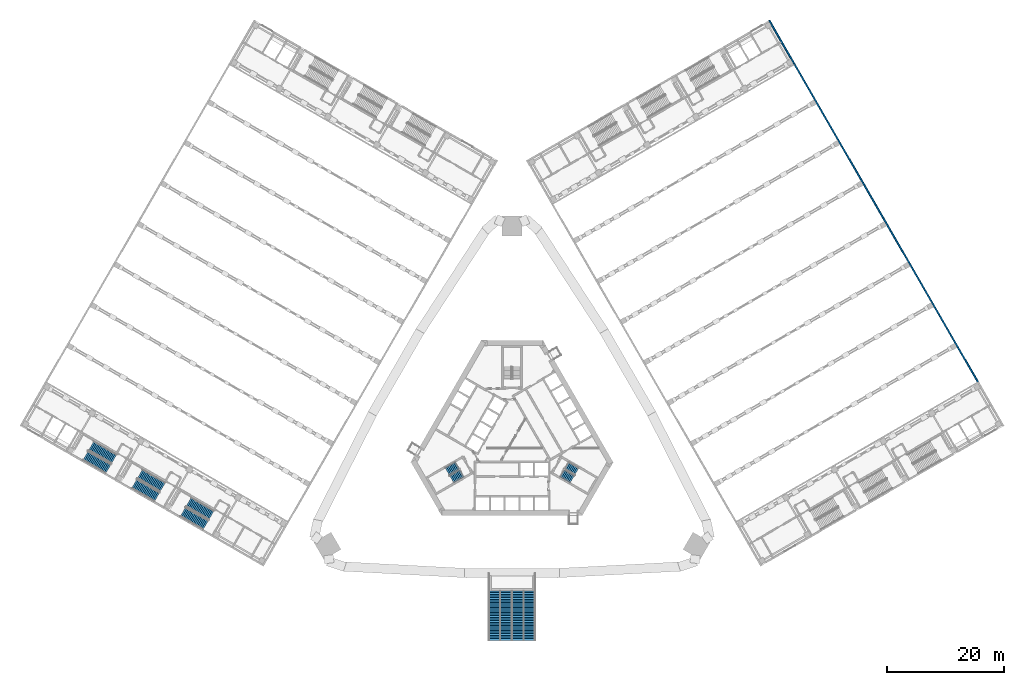
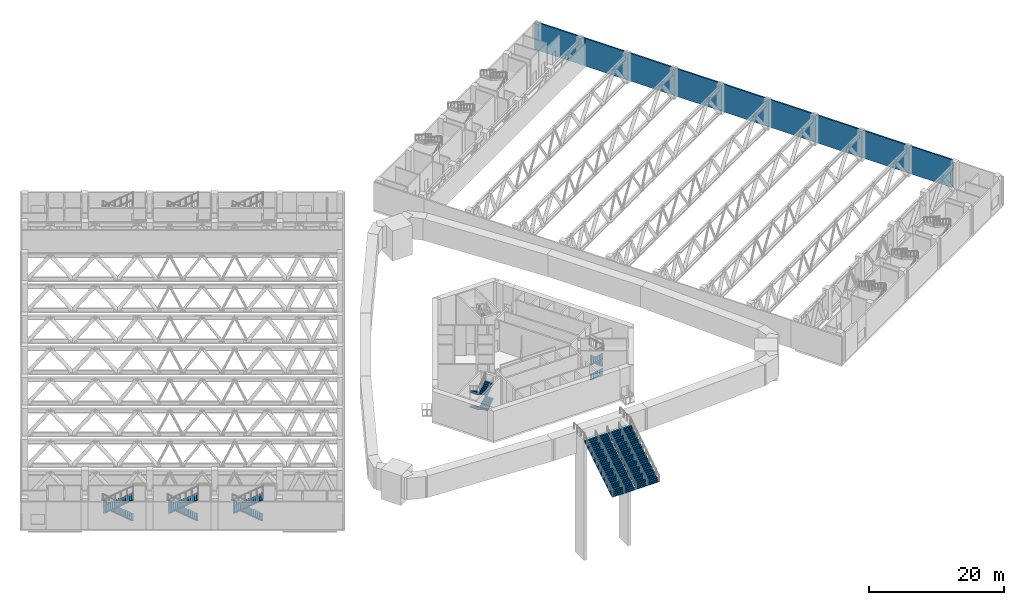
# One storey, part 24 of 37: 15 stair flights, 2 walls, 6 elements without a shape of their own.
"""IFC4 building model written with IfcOpenShell, lengths in metres."""

from ifc_helpers import new_model, si_unit, direction, frame, frame_2d, origin, place, context, subcontext, project, spatial, polyline, rectangle, outline, extrude, material, layer, layer_set, type_object, element, aggregate, save


model = new_model("IFC4")

# Units and contexts
model_context = context("Model", 3, precision=1e-05, world=origin(), true_north=direction((0.0, 1.0)))
body_context = subcontext(model_context, "Body", "Model", "MODEL_VIEW")
ifc_project = project(units=[si_unit("LENGTHUNIT", "METRE"), si_unit("AREAUNIT", "SQUARE_METRE"), si_unit("VOLUMEUNIT", "CUBIC_METRE"), si_unit("PLANEANGLEUNIT", "RADIAN"), si_unit("MASSUNIT", "GRAM", prefix="KILO")], contexts=[model_context])

# Site, building, storey
site_placement = place(None, origin())
site = spatial("IfcSite", under=ifc_project, at=site_placement, CompositionType="ELEMENT")
building_placement = place(site_placement, origin())
building = spatial("IfcBuilding", under=site, at=building_placement, Name="Mestral Congress Tower", CompositionType="ELEMENT")
storey_placement = place(building_placement, frame((0.0, 0.0, 16.199951171875)))
storey = spatial("IfcBuildingStorey", under=building, at=storey_placement, Name="L03", CompositionType="ELEMENT", Elevation=16.199951171875)

# Walls
ifc_material_1 = material(Name="Precast concrete C40/50 with limestone facing", Category="masonry")
ifc_layer = layer(ifc_material_1, 0.25)
ifc_layer_set = layer_set([ifc_layer], Name="Precast concrete C40/50 with limestone facing")
wall_type = type_object("IfcWallType", Name="Podium external wall 250", PredefinedType="SOLIDWALL", material=ifc_layer_set)
wall_1_placement = place(storey_placement, frame((43.915283203125, 71.54248046875, 0.0), z_axis=(0.0, 0.0, 1.0), x_axis=(0.499999331568, -0.866025789703, 0.0)))
element("IfcWall", 1, at=wall_1_placement, inside=storey, type_object=wall_type, Name="L03 external wall", PredefinedType="SOLIDWALL", context=body_context, shape_type="SweptSolid", body=[
    extrude(rectangle(XDim=8.625, YDim=0.25, at=frame_2d((4.3125, 0.0))), origin(), (0.0, 0.0, 1.0), 5.0),
])
wall_2_placement = place(storey_placement, frame((48.227783203125, 64.072998046875, 0.0), z_axis=(0.0, 0.0, 1.0), x_axis=(0.500000527961, -0.866025098966, 0.0)))
element("IfcWall", 2, at=wall_2_placement, inside=storey, type_object=wall_type, Name="L03 external wall", PredefinedType="SOLIDWALL", context=body_context, shape_type="SweptSolid", body=[
    extrude(rectangle(XDim=62.75, YDim=0.25, at=frame_2d((31.375, 0.0))), origin(), (0.0, 0.0, 1.0), 5.0),
])

# Stair, stair flights
ifc_material_2 = material(Name="Concrete C60/75", Category="concrete")
stair_type_1 = type_object("IfcStairType", Name="Exit stair 1400", PredefinedType="HALF_TURN_STAIR", material=ifc_material_2)
placement = place(storey_placement, origin())
stair_1 = element("IfcStair", 3, at=placement, inside=storey, type_object=stair_type_1, Name="L03 ST1", PredefinedType="HALF_TURN_STAIR")
stair_flight_type_1 = type_object("IfcStairFlightType", Name="Exit stair flight 1400", PredefinedType="STRAIGHT", material=ifc_material_2)
stair_flight_1_placement = place(storey_placement, frame((8.575927734375, -5.84619140625, 0.0), z_axis=(0.0, 0.0, 1.0), x_axis=(0.866025403784, -0.5, 0.0)))
stair_flight_1 = element("IfcStairFlight", 4, at=stair_flight_1_placement, type_object=stair_flight_type_1, Name="ST1 flight 1", NumberOfRisers=8, NumberOfTreads=7, PredefinedType="STRAIGHT", RiserHeight=0.16875, TreadLength=0.28, context=body_context, shape_type="SweptSolid", body=[
    extrude(outline(polyline([(0.0, 0.0), (0.0, 0.168701171875), (0.280029296875, 0.168701171875), (0.280029296875, 0.33740234375), (0.56005859375, 0.33740234375), (0.56005859375, 0.50634765625), (0.840087890625, 0.50634765625), (0.840087890625, 0.675048828125), (1.1201171875, 0.675048828125), (1.1201171875, 0.84375), (1.39990234375, 0.84375), (1.39990234375, 1.012451171875), (1.679931640625, 1.012451171875), (1.679931640625, 1.18115234375), (1.9599609375, 1.18115234375), (1.9599609375, 1.35009765625), (1.9599609375, 1.00634765625), (0.29052734375, 0.0), (0.0, 0.0)])), frame((0.0, 0.699951171875, 0.0), z_axis=(0.0, -1.0, 0.0), x_axis=(1.0, 0.0, 0.0)), (0.0, 0.0, 1.0), 0.700927734375),
    extrude(outline(polyline([(0.0, 0.0), (0.0, 0.168701171875), (0.280029296875, 0.168701171875), (0.280029296875, 0.33740234375), (0.56005859375, 0.33740234375), (0.56005859375, 0.50634765625), (0.840087890625, 0.50634765625), (0.840087890625, 0.675048828125), (1.1201171875, 0.675048828125), (1.1201171875, 0.84375), (1.39990234375, 0.84375), (1.39990234375, 1.012451171875), (1.679931640625, 1.012451171875), (1.679931640625, 1.18115234375), (1.9599609375, 1.18115234375), (1.9599609375, 1.35009765625), (1.9599609375, 1.00634765625), (0.29052734375, 0.0), (0.0, 0.0)])), frame((0.0, 0.0009765625, 0.0), z_axis=(0.0, -1.0, 0.0), x_axis=(1.0, 0.0, 0.0)), (0.0, 0.0, 1.0), 0.700927734375),
])
stair_flight_2_placement = place(storey_placement, frame((11.04833984375, -5.48388671875, 1.35009765625), z_axis=(0.0, 0.0, 1.0), x_axis=(-0.866025403784, 0.5, 0.0)))
stair_flight_2 = element("IfcStairFlight", 5, at=stair_flight_2_placement, type_object=stair_flight_type_1, Name="ST1 flight 2", NumberOfRisers=8, NumberOfTreads=7, PredefinedType="STRAIGHT", RiserHeight=0.16875, TreadLength=0.28, context=body_context, shape_type="SweptSolid", body=[
    extrude(outline(polyline([(0.0, 0.0), (0.0, 0.168701171875), (0.280029296875, 0.168701171875), (0.280029296875, 0.33740234375), (0.56005859375, 0.33740234375), (0.56005859375, 0.50634765625), (0.840087890625, 0.50634765625), (0.840087890625, 0.675048828125), (1.1201171875, 0.675048828125), (1.1201171875, 0.84375), (1.39990234375, 0.84375), (1.39990234375, 1.012451171875), (1.679931640625, 1.012451171875), (1.679931640625, 1.18115234375), (1.9599609375, 1.18115234375), (1.9599609375, 1.35009765625), (1.9599609375, 1.00634765625), (0.29052734375, 0.0), (0.0, 0.0)])), frame((0.0, 0.699951171875, 0.0), z_axis=(0.0, -1.0, 0.0), x_axis=(1.0, 0.0, 0.0)), (0.0, 0.0, 1.0), 0.700927734375),
    extrude(outline(polyline([(0.0, 0.0), (0.0, 0.168701171875), (0.280029296875, 0.168701171875), (0.280029296875, 0.33740234375), (0.56005859375, 0.33740234375), (0.56005859375, 0.50634765625), (0.840087890625, 0.50634765625), (0.840087890625, 0.675048828125), (1.1201171875, 0.675048828125), (1.1201171875, 0.84375), (1.39990234375, 0.84375), (1.39990234375, 1.012451171875), (1.679931640625, 1.012451171875), (1.679931640625, 1.18115234375), (1.9599609375, 1.18115234375), (1.9599609375, 1.35009765625), (1.9599609375, 1.00634765625), (0.29052734375, 0.0), (0.0, 0.0)])), frame((0.0, 0.0009765625, 0.0), z_axis=(0.0, -1.0, 0.0), x_axis=(1.0, 0.0, 0.0)), (0.0, 0.0, 1.0), 0.700927734375),
])
stair_flight_3_placement = place(storey_placement, frame((8.575927734375, -5.84619140625, 2.699951171875), z_axis=(0.0, 0.0, 1.0), x_axis=(0.866025403784, -0.5, 0.0)))
stair_flight_3 = element("IfcStairFlight", 6, at=stair_flight_3_placement, type_object=stair_flight_type_1, Name="ST1 flight 3", NumberOfRisers=8, NumberOfTreads=7, PredefinedType="STRAIGHT", RiserHeight=0.16875, TreadLength=0.28, context=body_context, shape_type="SweptSolid", body=[
    extrude(outline(polyline([(0.0, 0.0), (0.0, 0.168701171875), (0.280029296875, 0.168701171875), (0.280029296875, 0.33740234375), (0.56005859375, 0.33740234375), (0.56005859375, 0.50634765625), (0.840087890625, 0.50634765625), (0.840087890625, 0.675048828125), (1.1201171875, 0.675048828125), (1.1201171875, 0.84375), (1.39990234375, 0.84375), (1.39990234375, 1.012451171875), (1.679931640625, 1.012451171875), (1.679931640625, 1.18115234375), (1.9599609375, 1.18115234375), (1.9599609375, 1.35009765625), (1.9599609375, 1.00634765625), (0.29052734375, 0.0), (0.0, 0.0)])), frame((0.0, 0.699951171875, 0.0), z_axis=(0.0, -1.0, 0.0), x_axis=(1.0, 0.0, 0.0)), (0.0, 0.0, 1.0), 0.700927734375),
    extrude(outline(polyline([(0.0, 0.0), (0.0, 0.168701171875), (0.280029296875, 0.168701171875), (0.280029296875, 0.33740234375), (0.56005859375, 0.33740234375), (0.56005859375, 0.50634765625), (0.840087890625, 0.50634765625), (0.840087890625, 0.675048828125), (1.1201171875, 0.675048828125), (1.1201171875, 0.84375), (1.39990234375, 0.84375), (1.39990234375, 1.012451171875), (1.679931640625, 1.012451171875), (1.679931640625, 1.18115234375), (1.9599609375, 1.18115234375), (1.9599609375, 1.35009765625), (1.9599609375, 1.00634765625), (0.29052734375, 0.0), (0.0, 0.0)])), frame((0.0, 0.0009765625, 0.0), z_axis=(0.0, -1.0, 0.0), x_axis=(1.0, 0.0, 0.0)), (0.0, 0.0, 1.0), 0.700927734375),
])
aggregate(stair_1, [stair_flight_1, stair_flight_2, stair_flight_3])

stair_2 = element("IfcStair", 7, at=placement, inside=storey, type_object=stair_type_1, Name="L03 ST3", PredefinedType="HALF_TURN_STAIR")
stair_flight_4_placement = place(storey_placement, frame((-9.350830078125, -4.50390625, 0.0), z_axis=(0.0, 0.0, 1.0), x_axis=(-0.866025403784, -0.5, 0.0)))
stair_flight_4 = element("IfcStairFlight", 8, at=stair_flight_4_placement, type_object=stair_flight_type_1, Name="ST3 flight 1", NumberOfRisers=8, NumberOfTreads=7, PredefinedType="STRAIGHT", RiserHeight=0.16875, TreadLength=0.28, context=body_context, shape_type="SweptSolid", body=[
    extrude(outline(polyline([(0.0, 0.0), (0.0, 0.168701171875), (0.280029296875, 0.168701171875), (0.280029296875, 0.33740234375), (0.56005859375, 0.33740234375), (0.56005859375, 0.50634765625), (0.840087890625, 0.50634765625), (0.840087890625, 0.675048828125), (1.1201171875, 0.675048828125), (1.1201171875, 0.84375), (1.39990234375, 0.84375), (1.39990234375, 1.012451171875), (1.679931640625, 1.012451171875), (1.679931640625, 1.18115234375), (1.9599609375, 1.18115234375), (1.9599609375, 1.35009765625), (1.9599609375, 1.00634765625), (0.29052734375, 0.0), (0.0, 0.0)])), frame((0.0, 0.699951171875, 0.0), z_axis=(0.0, -1.0, 0.0), x_axis=(1.0, 0.0, 0.0)), (0.0, 0.0, 1.0), 0.700927734375),
    extrude(outline(polyline([(0.0, 0.0), (0.0, 0.168701171875), (0.280029296875, 0.168701171875), (0.280029296875, 0.33740234375), (0.56005859375, 0.33740234375), (0.56005859375, 0.50634765625), (0.840087890625, 0.50634765625), (0.840087890625, 0.675048828125), (1.1201171875, 0.675048828125), (1.1201171875, 0.84375), (1.39990234375, 0.84375), (1.39990234375, 1.012451171875), (1.679931640625, 1.012451171875), (1.679931640625, 1.18115234375), (1.9599609375, 1.18115234375), (1.9599609375, 1.35009765625), (1.9599609375, 1.00634765625), (0.29052734375, 0.0), (0.0, 0.0)])), frame((0.0, 0.0009765625, 0.0), z_axis=(0.0, -1.0, 0.0), x_axis=(1.0, 0.0, 0.0)), (0.0, 0.0, 1.0), 0.700927734375),
])
stair_flight_5_placement = place(storey_placement, frame((-10.273193359375, -6.826171875, 1.35009765625), z_axis=(0.0, 0.0, 1.0), x_axis=(0.866025403784, 0.5, 0.0)))
stair_flight_5 = element("IfcStairFlight", 9, at=stair_flight_5_placement, type_object=stair_flight_type_1, Name="ST3 flight 2", NumberOfRisers=8, NumberOfTreads=7, PredefinedType="STRAIGHT", RiserHeight=0.16875, TreadLength=0.28, context=body_context, shape_type="SweptSolid", body=[
    extrude(outline(polyline([(0.0, 0.0), (0.0, 0.168701171875), (0.280029296875, 0.168701171875), (0.280029296875, 0.33740234375), (0.56005859375, 0.33740234375), (0.56005859375, 0.50634765625), (0.840087890625, 0.50634765625), (0.840087890625, 0.675048828125), (1.1201171875, 0.675048828125), (1.1201171875, 0.84375), (1.39990234375, 0.84375), (1.39990234375, 1.012451171875), (1.679931640625, 1.012451171875), (1.679931640625, 1.18115234375), (1.9599609375, 1.18115234375), (1.9599609375, 1.35009765625), (1.9599609375, 1.00634765625), (0.29052734375, 0.0), (0.0, 0.0)])), frame((0.0, 0.699951171875, 0.0), z_axis=(0.0, -1.0, 0.0), x_axis=(1.0, 0.0, 0.0)), (0.0, 0.0, 1.0), 0.700927734375),
    extrude(outline(polyline([(0.0, 0.0), (0.0, 0.168701171875), (0.280029296875, 0.168701171875), (0.280029296875, 0.33740234375), (0.56005859375, 0.33740234375), (0.56005859375, 0.50634765625), (0.840087890625, 0.50634765625), (0.840087890625, 0.675048828125), (1.1201171875, 0.675048828125), (1.1201171875, 0.84375), (1.39990234375, 0.84375), (1.39990234375, 1.012451171875), (1.679931640625, 1.012451171875), (1.679931640625, 1.18115234375), (1.9599609375, 1.18115234375), (1.9599609375, 1.35009765625), (1.9599609375, 1.00634765625), (0.29052734375, 0.0), (0.0, 0.0)])), frame((0.0, 0.0009765625, 0.0), z_axis=(0.0, -1.0, 0.0), x_axis=(1.0, 0.0, 0.0)), (0.0, 0.0, 1.0), 0.700927734375),
])
stair_flight_6_placement = place(storey_placement, frame((-9.350830078125, -4.50390625, 2.699951171875), z_axis=(0.0, 0.0, 1.0), x_axis=(-0.866025403784, -0.5, 0.0)))
stair_flight_6 = element("IfcStairFlight", 10, at=stair_flight_6_placement, type_object=stair_flight_type_1, Name="ST3 flight 3", NumberOfRisers=8, NumberOfTreads=7, PredefinedType="STRAIGHT", RiserHeight=0.16875, TreadLength=0.28, context=body_context, shape_type="SweptSolid", body=[
    extrude(outline(polyline([(0.0, 0.0), (0.0, 0.168701171875), (0.280029296875, 0.168701171875), (0.280029296875, 0.33740234375), (0.56005859375, 0.33740234375), (0.56005859375, 0.50634765625), (0.840087890625, 0.50634765625), (0.840087890625, 0.675048828125), (1.1201171875, 0.675048828125), (1.1201171875, 0.84375), (1.39990234375, 0.84375), (1.39990234375, 1.012451171875), (1.679931640625, 1.012451171875), (1.679931640625, 1.18115234375), (1.9599609375, 1.18115234375), (1.9599609375, 1.35009765625), (1.9599609375, 1.00634765625), (0.29052734375, 0.0), (0.0, 0.0)])), frame((0.0, 0.699951171875, 0.0), z_axis=(0.0, -1.0, 0.0), x_axis=(1.0, 0.0, 0.0)), (0.0, 0.0, 1.0), 0.700927734375),
    extrude(outline(polyline([(0.0, 0.0), (0.0, 0.168701171875), (0.280029296875, 0.168701171875), (0.280029296875, 0.33740234375), (0.56005859375, 0.33740234375), (0.56005859375, 0.50634765625), (0.840087890625, 0.50634765625), (0.840087890625, 0.675048828125), (1.1201171875, 0.675048828125), (1.1201171875, 0.84375), (1.39990234375, 0.84375), (1.39990234375, 1.012451171875), (1.679931640625, 1.012451171875), (1.679931640625, 1.18115234375), (1.9599609375, 1.18115234375), (1.9599609375, 1.35009765625), (1.9599609375, 1.00634765625), (0.29052734375, 0.0), (0.0, 0.0)])), frame((0.0, 0.0009765625, 0.0), z_axis=(0.0, -1.0, 0.0), x_axis=(1.0, 0.0, 0.0)), (0.0, 0.0, 1.0), 0.700927734375),
])
stair_flight_7_placement = place(storey_placement, frame((-10.273193359375, -6.826171875, 4.050048828125), z_axis=(0.0, 0.0, 1.0), x_axis=(0.866025403784, 0.5, 0.0)))
stair_flight_7 = element("IfcStairFlight", 11, at=stair_flight_7_placement, type_object=stair_flight_type_1, Name="ST3 flight 4", NumberOfRisers=8, NumberOfTreads=7, PredefinedType="STRAIGHT", RiserHeight=0.16875, TreadLength=0.28, context=body_context, shape_type="SweptSolid", body=[
    extrude(outline(polyline([(0.0, 0.0), (0.0, 0.168701171875), (0.280029296875, 0.168701171875), (0.280029296875, 0.33740234375), (0.56005859375, 0.33740234375), (0.56005859375, 0.50634765625), (0.840087890625, 0.50634765625), (0.840087890625, 0.675048828125), (1.1201171875, 0.675048828125), (1.1201171875, 0.84375), (1.39990234375, 0.84375), (1.39990234375, 1.012451171875), (1.679931640625, 1.012451171875), (1.679931640625, 1.18115234375), (1.9599609375, 1.18115234375), (1.9599609375, 1.35009765625), (1.9599609375, 1.00634765625), (0.29052734375, 0.0), (0.0, 0.0)])), frame((0.0, 0.699951171875, 0.0), z_axis=(0.0, -1.0, 0.0), x_axis=(1.0, 0.0, 0.0)), (0.0, 0.0, 1.0), 0.700927734375),
    extrude(outline(polyline([(0.0, 0.0), (0.0, 0.168701171875), (0.280029296875, 0.168701171875), (0.280029296875, 0.33740234375), (0.56005859375, 0.33740234375), (0.56005859375, 0.50634765625), (0.840087890625, 0.50634765625), (0.840087890625, 0.675048828125), (1.1201171875, 0.675048828125), (1.1201171875, 0.84375), (1.39990234375, 0.84375), (1.39990234375, 1.012451171875), (1.679931640625, 1.012451171875), (1.679931640625, 1.18115234375), (1.9599609375, 1.18115234375), (1.9599609375, 1.35009765625), (1.9599609375, 1.00634765625), (0.29052734375, 0.0), (0.0, 0.0)])), frame((0.0, 0.0009765625, 0.0), z_axis=(0.0, -1.0, 0.0), x_axis=(1.0, 0.0, 0.0)), (0.0, 0.0, 1.0), 0.700927734375),
])
aggregate(stair_2, [stair_flight_4, stair_flight_5, stair_flight_6, stair_flight_7])

ifc_material_3 = material(Name="Precast concrete C40/50", Category="concrete")
stair_type_2 = type_object("IfcStairType", Name="Podium broad stair 8000", PredefinedType="STRAIGHT_RUN_STAIR", material=ifc_material_3)
stair_3 = element("IfcStair", 12, at=placement, inside=storey, type_object=stair_type_2, Name="Broad stairs L03", PredefinedType="STRAIGHT_RUN_STAIR")
stair_flight_type_2 = type_object("IfcStairFlightType", Name="Podium broad stair flight 3900", PredefinedType="STRAIGHT", material=ifc_material_3)
stair_flight_8_placement = place(storey_placement, frame((-2.050048828125, -34.327880859375, 0.0), z_axis=(0.0, 0.0, 1.0), x_axis=(0.0, 1.0, 0.0)))
stair_flight_8 = element("IfcStairFlight", 13, at=stair_flight_8_placement, type_object=stair_flight_type_2, Name="BST-L03 flight 1", NumberOfRisers=31, NumberOfTreads=30, PredefinedType="STRAIGHT", RiserHeight=0.174194, TreadLength=0.28, context=body_context, shape_type="SweptSolid", body=[
    extrude(outline(polyline([(0.0, 0.0), (0.0, 0.174072265625), (0.280029296875, 0.174072265625), (0.280029296875, 0.348388671875), (0.56005859375, 0.348388671875), (0.56005859375, 0.5224609375), (0.840087890625, 0.5224609375), (0.840087890625, 0.69677734375), (1.1201171875, 0.69677734375), (1.1201171875, 0.870849609375), (1.39990234375, 0.870849609375), (1.39990234375, 1.045166015625), (1.679931640625, 1.045166015625), (1.679931640625, 1.21923828125), (1.9599609375, 1.21923828125), (1.9599609375, 1.3935546875), (2.239990234375, 1.3935546875), (2.239990234375, 1.567626953125), (2.52001953125, 1.567626953125), (2.52001953125, 1.741943359375), (2.800048828125, 1.741943359375), (2.800048828125, 1.916015625), (3.080078125, 1.916015625), (3.080078125, 2.09033203125), (3.360107421875, 2.09033203125), (3.360107421875, 2.264404296875), (3.639892578125, 2.264404296875), (3.639892578125, 2.438720703125), (3.919921875, 2.438720703125), (3.919921875, 2.61279296875), (4.199951171875, 2.61279296875), (4.199951171875, 2.787109375), (4.47998046875, 2.787109375), (4.47998046875, 2.961181640625), (4.760009765625, 2.961181640625), (4.760009765625, 3.135498046875), (5.0400390625, 3.135498046875), (5.0400390625, 3.3095703125), (5.320068359375, 3.3095703125), (5.320068359375, 3.48388671875), (5.60009765625, 3.48388671875), (5.60009765625, 3.657958984375), (5.8798828125, 3.657958984375), (5.8798828125, 3.832275390625), (6.159912109375, 3.832275390625), (6.159912109375, 4.00634765625), (6.43994140625, 4.00634765625), (6.43994140625, 4.1806640625), (6.719970703125, 4.1806640625), (6.719970703125, 4.354736328125), (7.0, 4.354736328125), (7.0, 4.529052734375), (7.280029296875, 4.529052734375), (7.280029296875, 4.703125), (7.56005859375, 4.703125), (7.56005859375, 4.87744140625), (7.840087890625, 4.87744140625), (7.840087890625, 5.051513671875), (8.1201171875, 5.051513671875), (8.1201171875, 5.225830078125), (8.39990234375, 5.225830078125), (8.39990234375, 5.39990234375), (8.39990234375, 5.04931640625), (0.28369140625, 0.0), (0.0, 0.0)])), frame((0.0, 1.949951171875, 0.0), z_axis=(0.0, -1.0, 0.0), x_axis=(1.0, 0.0, 0.0)), (0.0, 0.0, 1.0), 3.89990234375),
])
stair_flight_9_placement = place(storey_placement, frame((2.050048828125, -34.327880859375, 0.0), z_axis=(0.0, 0.0, 1.0), x_axis=(0.0, 1.0, 0.0)))
stair_flight_9 = element("IfcStairFlight", 14, at=stair_flight_9_placement, type_object=stair_flight_type_2, Name="BST-L03 flight 2", NumberOfRisers=31, NumberOfTreads=30, PredefinedType="STRAIGHT", RiserHeight=0.174194, TreadLength=0.28, context=body_context, shape_type="SweptSolid", body=[
    extrude(outline(polyline([(0.0, 0.0), (0.0, 0.174072265625), (0.280029296875, 0.174072265625), (0.280029296875, 0.348388671875), (0.56005859375, 0.348388671875), (0.56005859375, 0.5224609375), (0.840087890625, 0.5224609375), (0.840087890625, 0.69677734375), (1.1201171875, 0.69677734375), (1.1201171875, 0.870849609375), (1.39990234375, 0.870849609375), (1.39990234375, 1.045166015625), (1.679931640625, 1.045166015625), (1.679931640625, 1.21923828125), (1.9599609375, 1.21923828125), (1.9599609375, 1.3935546875), (2.239990234375, 1.3935546875), (2.239990234375, 1.567626953125), (2.52001953125, 1.567626953125), (2.52001953125, 1.741943359375), (2.800048828125, 1.741943359375), (2.800048828125, 1.916015625), (3.080078125, 1.916015625), (3.080078125, 2.09033203125), (3.360107421875, 2.09033203125), (3.360107421875, 2.264404296875), (3.639892578125, 2.264404296875), (3.639892578125, 2.438720703125), (3.919921875, 2.438720703125), (3.919921875, 2.61279296875), (4.199951171875, 2.61279296875), (4.199951171875, 2.787109375), (4.47998046875, 2.787109375), (4.47998046875, 2.961181640625), (4.760009765625, 2.961181640625), (4.760009765625, 3.135498046875), (5.0400390625, 3.135498046875), (5.0400390625, 3.3095703125), (5.320068359375, 3.3095703125), (5.320068359375, 3.48388671875), (5.60009765625, 3.48388671875), (5.60009765625, 3.657958984375), (5.8798828125, 3.657958984375), (5.8798828125, 3.832275390625), (6.159912109375, 3.832275390625), (6.159912109375, 4.00634765625), (6.43994140625, 4.00634765625), (6.43994140625, 4.1806640625), (6.719970703125, 4.1806640625), (6.719970703125, 4.354736328125), (7.0, 4.354736328125), (7.0, 4.529052734375), (7.280029296875, 4.529052734375), (7.280029296875, 4.703125), (7.56005859375, 4.703125), (7.56005859375, 4.87744140625), (7.840087890625, 4.87744140625), (7.840087890625, 5.051513671875), (8.1201171875, 5.051513671875), (8.1201171875, 5.225830078125), (8.39990234375, 5.225830078125), (8.39990234375, 5.39990234375), (8.39990234375, 5.04931640625), (0.28369140625, 0.0), (0.0, 0.0)])), frame((0.0, 1.949951171875, 0.0), z_axis=(0.0, -1.0, 0.0), x_axis=(1.0, 0.0, 0.0)), (0.0, 0.0, 1.0), 3.89990234375),
])
aggregate(stair_3, [stair_flight_8, stair_flight_9])

ifc_material_4 = material(Name="Concrete C40/50", Category="concrete")
stair_type_3 = type_object("IfcStairType", Name="Podium exit stair 1800", PredefinedType="HALF_TURN_STAIR", material=ifc_material_4)
stair_4 = element("IfcStair", 15, at=placement, inside=storey, type_object=stair_type_3, Name="L03 Exit stair W4", PredefinedType="HALF_TURN_STAIR")
stair_flight_type_3 = type_object("IfcStairFlightType", Name="Podium exit stair flight 1800", PredefinedType="STRAIGHT", material=ifc_material_4)
stair_flight_10_placement = place(storey_placement, frame((-51.33984375, -12.96728515625, 0.0), z_axis=(0.0, 0.0, 1.0), x_axis=(-0.866025403784, 0.5, 0.0)))
stair_flight_10 = element("IfcStairFlight", 16, at=stair_flight_10_placement, type_object=stair_flight_type_3, Name="PS-W4 flight 1", NumberOfRisers=17, NumberOfTreads=16, PredefinedType="STRAIGHT", RiserHeight=0.158823529, TreadLength=0.28, context=body_context, shape_type="SweptSolid", body=[
    extrude(outline(polyline([(0.0, 0.0), (0.0, 0.158935546875), (0.280029296875, 0.158935546875), (0.280029296875, 0.317626953125), (0.56005859375, 0.317626953125), (0.56005859375, 0.4765625), (0.840087890625, 0.4765625), (0.840087890625, 0.63525390625), (1.1201171875, 0.63525390625), (1.1201171875, 0.794189453125), (1.39990234375, 0.794189453125), (1.39990234375, 0.952880859375), (1.679931640625, 0.952880859375), (1.679931640625, 1.11181640625), (1.9599609375, 1.11181640625), (1.9599609375, 1.2705078125), (2.239990234375, 1.2705078125), (2.239990234375, 1.429443359375), (2.52001953125, 1.429443359375), (2.52001953125, 1.588134765625), (2.800048828125, 1.588134765625), (2.800048828125, 1.7470703125), (3.080078125, 1.7470703125), (3.080078125, 1.90576171875), (3.360107421875, 1.90576171875), (3.360107421875, 2.064697265625), (3.639892578125, 2.064697265625), (3.639892578125, 2.2236328125), (3.919921875, 2.2236328125), (3.919921875, 2.38232421875), (4.199951171875, 2.38232421875), (4.199951171875, 2.541259765625), (4.47998046875, 2.541259765625), (4.47998046875, 2.699951171875), (4.47998046875, 2.368896484375), (0.3037109375, 0.0), (0.0, 0.0)])), frame((0.0, 0.89990234375, 0.0), z_axis=(0.0, -1.0, 0.0), x_axis=(1.0, 0.0, 0.0)), (0.0, 0.0, 1.0), 1.800048828125),
])
stair_flight_11_placement = place(storey_placement, frame((-56.19482421875, -12.416015625, 2.699951171875), z_axis=(0.0, 0.0, 1.0), x_axis=(0.866025403784, -0.5, 0.0)))
stair_flight_11 = element("IfcStairFlight", 17, at=stair_flight_11_placement, type_object=stair_flight_type_3, Name="PS-W4 flight 2", NumberOfRisers=17, NumberOfTreads=16, PredefinedType="STRAIGHT", RiserHeight=0.158823529, TreadLength=0.28, context=body_context, shape_type="SweptSolid", body=[
    extrude(outline(polyline([(0.0, 0.0), (0.0, 0.158935546875), (0.280029296875, 0.158935546875), (0.280029296875, 0.317626953125), (0.56005859375, 0.317626953125), (0.56005859375, 0.4765625), (0.840087890625, 0.4765625), (0.840087890625, 0.63525390625), (1.1201171875, 0.63525390625), (1.1201171875, 0.794189453125), (1.39990234375, 0.794189453125), (1.39990234375, 0.952880859375), (1.679931640625, 0.952880859375), (1.679931640625, 1.11181640625), (1.9599609375, 1.11181640625), (1.9599609375, 1.2705078125), (2.239990234375, 1.2705078125), (2.239990234375, 1.429443359375), (2.52001953125, 1.429443359375), (2.52001953125, 1.588134765625), (2.800048828125, 1.588134765625), (2.800048828125, 1.7470703125), (3.080078125, 1.7470703125), (3.080078125, 1.90576171875), (3.360107421875, 1.90576171875), (3.360107421875, 2.064697265625), (3.639892578125, 2.064697265625), (3.639892578125, 2.2236328125), (3.919921875, 2.2236328125), (3.919921875, 2.38232421875), (4.199951171875, 2.38232421875), (4.199951171875, 2.541259765625), (4.47998046875, 2.541259765625), (4.47998046875, 2.699951171875), (4.47998046875, 2.368896484375), (0.3037109375, 0.0), (0.0, 0.0)])), frame((0.0, 0.89990234375, 0.0), z_axis=(0.0, -1.0, 0.0), x_axis=(1.0, 0.0, 0.0)), (0.0, 0.0, 1.0), 1.800048828125),
])
aggregate(stair_4, [stair_flight_10, stair_flight_11])

stair_5 = element("IfcStair", 18, at=placement, inside=storey, type_object=stair_type_3, Name="L03 Exit stair W5", PredefinedType="HALF_TURN_STAIR")
stair_flight_12_placement = place(storey_placement, frame((-59.65380859375, -8.167236328125, 0.0), z_axis=(0.0, 0.0, 1.0), x_axis=(-0.866025403784, 0.5, 0.0)))
stair_flight_12 = element("IfcStairFlight", 19, at=stair_flight_12_placement, type_object=stair_flight_type_3, Name="PS-W5 flight 1", NumberOfRisers=17, NumberOfTreads=16, PredefinedType="STRAIGHT", RiserHeight=0.158823529, TreadLength=0.28, context=body_context, shape_type="SweptSolid", body=[
    extrude(outline(polyline([(0.0, 0.0), (0.0, 0.158935546875), (0.280029296875, 0.158935546875), (0.280029296875, 0.317626953125), (0.56005859375, 0.317626953125), (0.56005859375, 0.4765625), (0.840087890625, 0.4765625), (0.840087890625, 0.63525390625), (1.1201171875, 0.63525390625), (1.1201171875, 0.794189453125), (1.39990234375, 0.794189453125), (1.39990234375, 0.952880859375), (1.679931640625, 0.952880859375), (1.679931640625, 1.11181640625), (1.9599609375, 1.11181640625), (1.9599609375, 1.2705078125), (2.239990234375, 1.2705078125), (2.239990234375, 1.429443359375), (2.52001953125, 1.429443359375), (2.52001953125, 1.588134765625), (2.800048828125, 1.588134765625), (2.800048828125, 1.7470703125), (3.080078125, 1.7470703125), (3.080078125, 1.90576171875), (3.360107421875, 1.90576171875), (3.360107421875, 2.064697265625), (3.639892578125, 2.064697265625), (3.639892578125, 2.2236328125), (3.919921875, 2.2236328125), (3.919921875, 2.38232421875), (4.199951171875, 2.38232421875), (4.199951171875, 2.541259765625), (4.47998046875, 2.541259765625), (4.47998046875, 2.699951171875), (4.47998046875, 2.368896484375), (0.3037109375, 0.0), (0.0, 0.0)])), frame((0.0, 0.89990234375, 0.0), z_axis=(0.0, -1.0, 0.0), x_axis=(1.0, 0.0, 0.0)), (0.0, 0.0, 1.0), 1.800048828125),
])
stair_flight_13_placement = place(storey_placement, frame((-64.508544921875, -7.615966796875, 2.699951171875), z_axis=(0.0, 0.0, 1.0), x_axis=(0.866025403784, -0.5, 0.0)))
stair_flight_13 = element("IfcStairFlight", 20, at=stair_flight_13_placement, type_object=stair_flight_type_3, Name="PS-W5 flight 2", NumberOfRisers=17, NumberOfTreads=16, PredefinedType="STRAIGHT", RiserHeight=0.158823529, TreadLength=0.28, context=body_context, shape_type="SweptSolid", body=[
    extrude(outline(polyline([(0.0, 0.0), (0.0, 0.158935546875), (0.280029296875, 0.158935546875), (0.280029296875, 0.317626953125), (0.56005859375, 0.317626953125), (0.56005859375, 0.4765625), (0.840087890625, 0.4765625), (0.840087890625, 0.63525390625), (1.1201171875, 0.63525390625), (1.1201171875, 0.794189453125), (1.39990234375, 0.794189453125), (1.39990234375, 0.952880859375), (1.679931640625, 0.952880859375), (1.679931640625, 1.11181640625), (1.9599609375, 1.11181640625), (1.9599609375, 1.2705078125), (2.239990234375, 1.2705078125), (2.239990234375, 1.429443359375), (2.52001953125, 1.429443359375), (2.52001953125, 1.588134765625), (2.800048828125, 1.588134765625), (2.800048828125, 1.7470703125), (3.080078125, 1.7470703125), (3.080078125, 1.90576171875), (3.360107421875, 1.90576171875), (3.360107421875, 2.064697265625), (3.639892578125, 2.064697265625), (3.639892578125, 2.2236328125), (3.919921875, 2.2236328125), (3.919921875, 2.38232421875), (4.199951171875, 2.38232421875), (4.199951171875, 2.541259765625), (4.47998046875, 2.541259765625), (4.47998046875, 2.699951171875), (4.47998046875, 2.368896484375), (0.3037109375, 0.0), (0.0, 0.0)])), frame((0.0, 0.89990234375, 0.0), z_axis=(0.0, -1.0, 0.0), x_axis=(1.0, 0.0, 0.0)), (0.0, 0.0, 1.0), 1.800048828125),
])
aggregate(stair_5, [stair_flight_12, stair_flight_13])

stair_6 = element("IfcStair", 21, at=placement, inside=storey, type_object=stair_type_3, Name="L03 Exit stair W6", PredefinedType="HALF_TURN_STAIR")
stair_flight_14_placement = place(storey_placement, frame((-67.967529296875, -3.367431640625, 0.0), z_axis=(0.0, 0.0, 1.0), x_axis=(-0.866025403784, 0.5, 0.0)))
stair_flight_14 = element("IfcStairFlight", 22, at=stair_flight_14_placement, type_object=stair_flight_type_3, Name="PS-W6 flight 1", NumberOfRisers=17, NumberOfTreads=16, PredefinedType="STRAIGHT", RiserHeight=0.158823529, TreadLength=0.28, context=body_context, shape_type="SweptSolid", body=[
    extrude(outline(polyline([(0.0, 0.0), (0.0, 0.158935546875), (0.280029296875, 0.158935546875), (0.280029296875, 0.317626953125), (0.56005859375, 0.317626953125), (0.56005859375, 0.4765625), (0.840087890625, 0.4765625), (0.840087890625, 0.63525390625), (1.1201171875, 0.63525390625), (1.1201171875, 0.794189453125), (1.39990234375, 0.794189453125), (1.39990234375, 0.952880859375), (1.679931640625, 0.952880859375), (1.679931640625, 1.11181640625), (1.9599609375, 1.11181640625), (1.9599609375, 1.2705078125), (2.239990234375, 1.2705078125), (2.239990234375, 1.429443359375), (2.52001953125, 1.429443359375), (2.52001953125, 1.588134765625), (2.800048828125, 1.588134765625), (2.800048828125, 1.7470703125), (3.080078125, 1.7470703125), (3.080078125, 1.90576171875), (3.360107421875, 1.90576171875), (3.360107421875, 2.064697265625), (3.639892578125, 2.064697265625), (3.639892578125, 2.2236328125), (3.919921875, 2.2236328125), (3.919921875, 2.38232421875), (4.199951171875, 2.38232421875), (4.199951171875, 2.541259765625), (4.47998046875, 2.541259765625), (4.47998046875, 2.699951171875), (4.47998046875, 2.368896484375), (0.3037109375, 0.0), (0.0, 0.0)])), frame((0.0, 0.89990234375, 0.0), z_axis=(0.0, -1.0, 0.0), x_axis=(1.0, 0.0, 0.0)), (0.0, 0.0, 1.0), 1.800048828125),
])
stair_flight_15_placement = place(storey_placement, frame((-72.822265625, -2.816162109375, 2.699951171875), z_axis=(0.0, 0.0, 1.0), x_axis=(0.866025403784, -0.5, 0.0)))
stair_flight_15 = element("IfcStairFlight", 23, at=stair_flight_15_placement, type_object=stair_flight_type_3, Name="PS-W6 flight 2", NumberOfRisers=17, NumberOfTreads=16, PredefinedType="STRAIGHT", RiserHeight=0.158823529, TreadLength=0.28, context=body_context, shape_type="SweptSolid", body=[
    extrude(outline(polyline([(0.0, 0.0), (0.0, 0.158935546875), (0.280029296875, 0.158935546875), (0.280029296875, 0.317626953125), (0.56005859375, 0.317626953125), (0.56005859375, 0.4765625), (0.840087890625, 0.4765625), (0.840087890625, 0.63525390625), (1.1201171875, 0.63525390625), (1.1201171875, 0.794189453125), (1.39990234375, 0.794189453125), (1.39990234375, 0.952880859375), (1.679931640625, 0.952880859375), (1.679931640625, 1.11181640625), (1.9599609375, 1.11181640625), (1.9599609375, 1.2705078125), (2.239990234375, 1.2705078125), (2.239990234375, 1.429443359375), (2.52001953125, 1.429443359375), (2.52001953125, 1.588134765625), (2.800048828125, 1.588134765625), (2.800048828125, 1.7470703125), (3.080078125, 1.7470703125), (3.080078125, 1.90576171875), (3.360107421875, 1.90576171875), (3.360107421875, 2.064697265625), (3.639892578125, 2.064697265625), (3.639892578125, 2.2236328125), (3.919921875, 2.2236328125), (3.919921875, 2.38232421875), (4.199951171875, 2.38232421875), (4.199951171875, 2.541259765625), (4.47998046875, 2.541259765625), (4.47998046875, 2.699951171875), (4.47998046875, 2.368896484375), (0.3037109375, 0.0), (0.0, 0.0)])), frame((0.0, 0.89990234375, 0.0), z_axis=(0.0, -1.0, 0.0), x_axis=(1.0, 0.0, 0.0)), (0.0, 0.0, 1.0), 1.800048828125),
])
aggregate(stair_6, [stair_flight_14, stair_flight_15])

save(model, "model.ifc")
